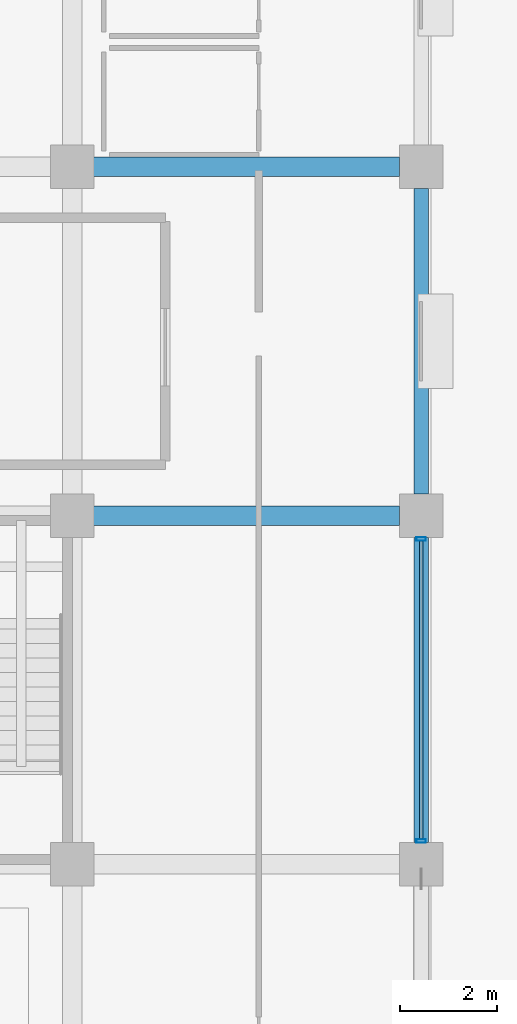
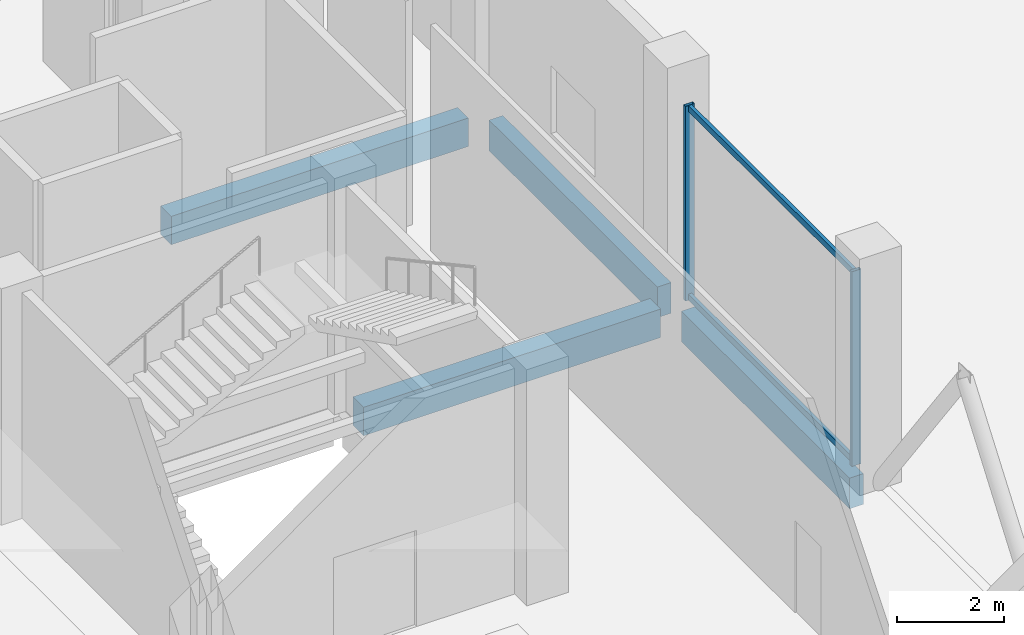
# One storey, part 11 of 90: 4 beams, 4 members, 1 element without a shape of its own.
"""IFC4 building model written with IfcOpenShell, lengths in metres."""

from ifc_helpers import new_model, si_unit, direction, frame, origin, origin_2d, place, context, subcontext, project, spatial, rectangle, hollow_rectangle, extrude, material, layer, layer_set, material_profile, profile_set, type_object, element, aggregate, save


model = new_model("IFC4")

# Units and contexts
model_context = context("Model", 3, precision=1e-05, world=origin(), true_north=direction((0.0, 1.0)))
body_context = subcontext(model_context, "Body", "Model", "MODEL_VIEW")
ifc_project = project(units=[si_unit("LENGTHUNIT", "METRE"), si_unit("AREAUNIT", "SQUARE_METRE"), si_unit("VOLUMEUNIT", "CUBIC_METRE"), si_unit("PLANEANGLEUNIT", "RADIAN"), si_unit("MASSUNIT", "GRAM", prefix="KILO")], contexts=[model_context])

# Site, building, storey
site_placement = place(None, origin())
site = spatial("IfcSite", under=ifc_project, at=site_placement, CompositionType="ELEMENT")
building_placement = place(site_placement, origin())
building = spatial("IfcBuilding", under=site, at=building_placement, Name="Kangsadwip Square Police Headquarters", CompositionType="ELEMENT")
storey_placement = place(building_placement, origin())
storey = spatial("IfcBuildingStorey", under=building, at=storey_placement, Name="L00", CompositionType="ELEMENT", Elevation=0.0)

# Curtain wall, members
ifc_material_1 = material(Name="Thermally broken anodised aluminium AW-6063-T6", Category="aluminium")
ifc_layer = layer(ifc_material_1, 0.159912109375)
ifc_layer_set = layer_set([ifc_layer], Name="Thermally broken anodised aluminium AW-6063-T6")
curtain_wall_type = type_object("IfcCurtainWallType", Name="CourtScreen6310x4450", PredefinedType="USERDEFINED", material=ifc_layer_set)
curtain_wall_placement = place(storey_placement, origin())
curtain_wall = element("IfcCurtainWall", 1, at=curtain_wall_placement, inside=storey, type_object=curtain_wall_type, Name="Curtain Wall CW-L00-0216-0436", ObjectType="GLAZED_SCREEN", PredefinedType="USERDEFINED")
ifc_material_2 = material(Name="Thermally broken anodised aluminium AW-6063-T6", Category="aluminium")
ifc_material_profile_1 = material_profile(ifc_material_2, hollow_rectangle(XDim=0.074951171875, YDim=0.199951171875, WallThickness=0.0048828125, at=origin_2d()), Name="CWM 200X75X5")
ifc_profile_set_1 = profile_set([ifc_material_profile_1], Name="Thermally broken anodised aluminium AW-6063-T6")
member_type_1 = type_object("IfcMemberType", Name="CwMullion180x75", PredefinedType="MULLION", material=ifc_profile_set_1)
member_1_placement = place(storey_placement, frame((21.60009765625, 43.6826171875, 0.0), z_axis=(0.0, 0.0, 1.0), x_axis=(0.0, 1.0, 0.0)))
member_1 = element("IfcMember", 2, at=member_1_placement, type_object=member_type_1, Name="CW-13 mullion 1", PredefinedType="MULLION", context=body_context, shape_type="SweptSolid", body=[
    extrude(hollow_rectangle(XDim=0.074951171875, YDim=0.199951171875, WallThickness=0.0048828125, at=origin_2d()), origin(), (0.0, 0.0, 1.0), 4.449951171875),
])
member_2_placement = place(storey_placement, frame((21.60009765625, 49.91748046875, 0.0), z_axis=(0.0, 0.0, 1.0), x_axis=(0.0, 1.0, 0.0)))
member_2 = element("IfcMember", 3, at=member_2_placement, type_object=member_type_1, Name="CW-13 mullion 2", PredefinedType="MULLION", context=body_context, shape_type="SweptSolid", body=[
    extrude(hollow_rectangle(XDim=0.074951171875, YDim=0.199951171875, WallThickness=0.0048828125, at=origin_2d()), origin(), (0.0, 0.0, 1.0), 4.449951171875),
])
ifc_material_3 = material(Name="Thermally broken anodised aluminium AW-6063-T6", Category="aluminium")
ifc_material_profile_2 = material_profile(ifc_material_3, hollow_rectangle(XDim=0.074951171875, YDim=0.139892578125, WallThickness=0.0048828125, at=origin_2d()), Name="CWT 140X75X5")
ifc_profile_set_2 = profile_set([ifc_material_profile_2], Name="Thermally broken anodised aluminium AW-6063-T6")
member_type_2 = type_object("IfcMemberType", Name="CwTransom160x65", PredefinedType="USERDEFINED", material=ifc_profile_set_2)
member_3_placement = place(storey_placement, frame((21.60009765625, 43.719970703125, 0.070068359375), z_axis=(0.0, 1.0, 0.0), x_axis=(-1.0, 0.0, 0.0)))
member_3 = element("IfcMember", 4, at=member_3_placement, type_object=member_type_2, Name="CW-13 transom 1.1", ObjectType="TRANSOM", PredefinedType="USERDEFINED", context=body_context, shape_type="SweptSolid", body=[
    extrude(hollow_rectangle(XDim=0.074951171875, YDim=0.139892578125, WallThickness=0.0048828125, at=origin_2d()), origin(), (0.0, 0.0, 1.0), 6.159912109375),
])
member_4_placement = place(storey_placement, frame((21.60009765625, 43.719970703125, 4.3798828125), z_axis=(0.0, 1.0, 0.0), x_axis=(-1.0, 0.0, 0.0)))
member_4 = element("IfcMember", 5, at=member_4_placement, type_object=member_type_2, Name="CW-13 transom 1.2", ObjectType="TRANSOM", PredefinedType="USERDEFINED", context=body_context, shape_type="SweptSolid", body=[
    extrude(hollow_rectangle(XDim=0.074951171875, YDim=0.139892578125, WallThickness=0.0048828125, at=origin_2d()), origin(), (0.0, 0.0, 1.0), 6.159912109375),
])
aggregate(curtain_wall, [member_1, member_2, member_3, member_4])

# Beams
ifc_material_4 = material(Name="Concrete M35 (35 MPa)", Category="concrete")
ifc_material_profile_3 = material_profile(ifc_material_4, rectangle(XDim=0.39990234375, YDim=0.64990234375, at=origin_2d()), Name="RC BM 650X400")
ifc_profile_set_3 = profile_set([ifc_material_profile_3], Name="Concrete M35 (35 MPa)")
beam_type_1 = type_object("IfcBeamType", Name="RcBeam650x400", PredefinedType="BEAM", material=ifc_profile_set_3)
for number, where, z_axis, x_axis, name in (
    (6, (14.72509765625, 50.39990234375, -0.574951171875), (1.0, 0.0, 0.0), (0.0, 1.0, 0.0), "Beam BM-L00-X-02-07"),
    (7, (14.72509765625, 57.60009765625, -0.574951171875), (1.0, 0.0, 0.0), (0.0, 1.0, 0.0), "Beam BM-L00-X-02-08"),
):
    element("IfcBeam", number, at=place(storey_placement, frame(where, z_axis=z_axis, x_axis=x_axis)), inside=storey, type_object=beam_type_1, Name=name, PredefinedType="BEAM", context=body_context, shape_type="SweptSolid", body=[
        extrude(rectangle(XDim=0.39990234375, YDim=0.64990234375, at=origin_2d()), origin(), (0.0, 0.0, 1.0), 6.4248046875),
    ])
ifc_material_5 = material(Name="Concrete M40 (40 MPa)", Category="concrete")
ifc_material_profile_4 = material_profile(ifc_material_5, rectangle(XDim=0.300048828125, YDim=0.699951171875, at=origin_2d()), Name="RC SPN 700X300")
ifc_profile_set_4 = profile_set([ifc_material_profile_4], Name="Concrete M40 (40 MPa)")
beam_type_2 = type_object("IfcBeamType", Name="RcSpandrel700x300", PredefinedType="SPANDREL", material=ifc_profile_set_4)
beam_1_placement = place(storey_placement, frame((21.60009765625, 43.64990234375, -0.60009765625), z_axis=(0.0, 1.0, 0.0), x_axis=(-1.0, 0.0, 0.0)))
element("IfcBeam", 8, at=beam_1_placement, inside=storey, type_object=beam_type_2, Name="Beam BM-L00-Y-03-06", PredefinedType="SPANDREL", context=body_context, shape_type="SweptSolid", body=[
    extrude(rectangle(XDim=0.300048828125, YDim=0.699951171875, at=origin_2d()), origin(), (0.0, 0.0, 1.0), 6.300048828125),
])
beam_2_placement = place(storey_placement, frame((21.60009765625, 50.85009765625, -0.60009765625), z_axis=(0.0, 1.0, 0.0), x_axis=(-1.0, 0.0, 0.0)))
element("IfcBeam", 9, at=beam_2_placement, inside=storey, type_object=beam_type_2, Name="Beam BM-L00-Y-03-07", PredefinedType="SPANDREL", context=body_context, shape_type="SweptSolid", body=[
    extrude(rectangle(XDim=0.300048828125, YDim=0.699951171875, at=origin_2d()), origin(), (0.0, 0.0, 1.0), 6.2998046875),
])

save(model, "model.ifc")
